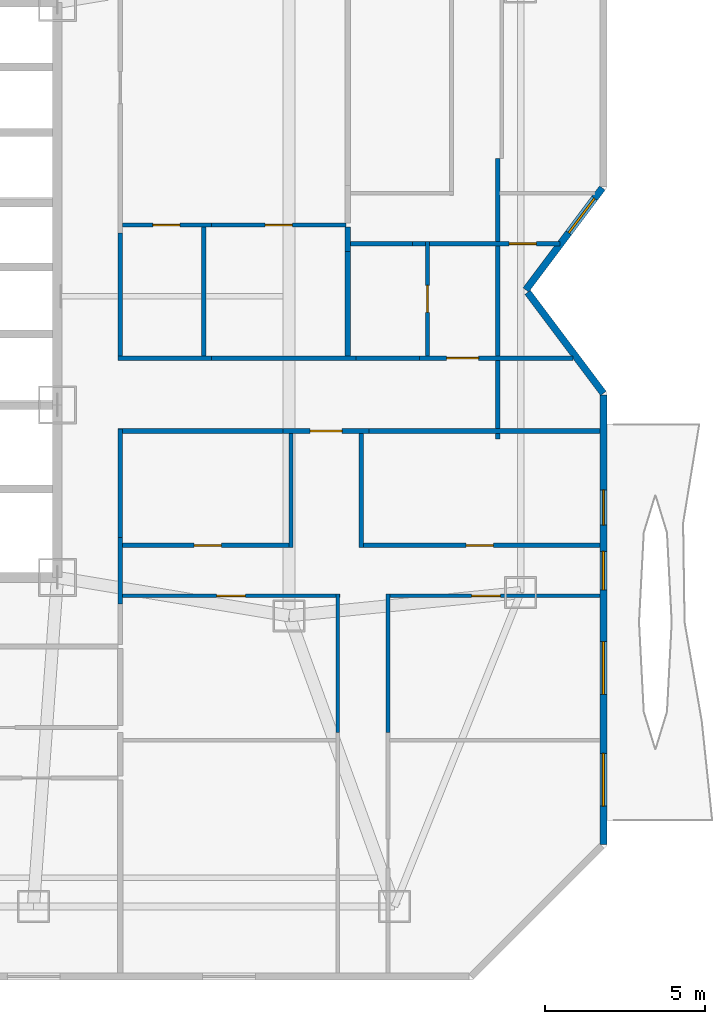
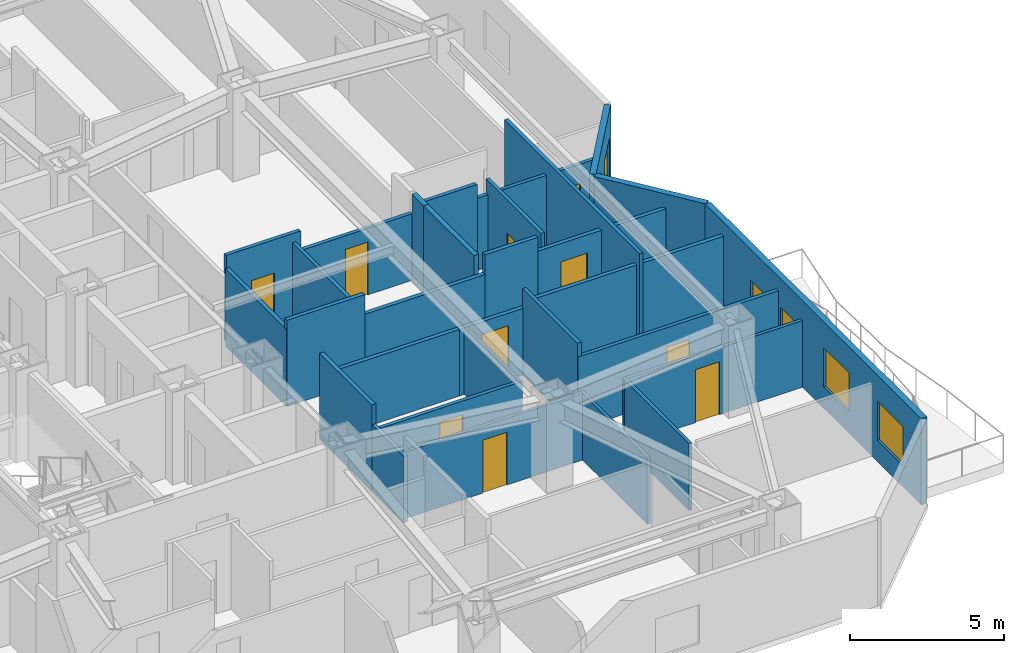
# One storey, part 10 of 14: 30 walls, 11 doors, 4 windows, 15 openings.
"""IFC4 building model written with IfcOpenShell, lengths in metres."""

from ifc_helpers import new_model, si_unit, direction, frame, frame_2d, origin, place, context, subcontext, project, spatial, rectangle, extrude, material, layer, layer_set, type_object, element, fill, save


model = new_model("IFC4")

# Units and contexts
model_context = context("Model", 3, precision=1e-05, world=origin(), true_north=direction((0.0, 1.0)))
body_context = subcontext(model_context, "Body", "Model", "MODEL_VIEW")
ifc_project = project(units=[si_unit("LENGTHUNIT", "METRE"), si_unit("AREAUNIT", "SQUARE_METRE"), si_unit("VOLUMEUNIT", "CUBIC_METRE"), si_unit("PLANEANGLEUNIT", "RADIAN"), si_unit("MASSUNIT", "GRAM", prefix="KILO")], contexts=[model_context])

# Site, building, storey
site_placement = place(None, origin())
site = spatial("IfcSite", under=ifc_project, at=site_placement, CompositionType="ELEMENT")
building_placement = place(site_placement, origin())
building = spatial("IfcBuilding", under=site, at=building_placement, Name="Khamvora Tower", CompositionType="ELEMENT")
storey_placement = place(building_placement, frame((0.0, 0.0, 123.800048828125)))
storey = spatial("IfcBuildingStorey", under=building, at=storey_placement, Name="L31", CompositionType="ELEMENT", Elevation=123.800048828125)

# Wall, opening, door
ifc_material_1 = material(Name="Fire-Rated Drywall and Steel Stud", Category="steel")
ifc_layer_1 = layer(ifc_material_1, 0.14990234375)
ifc_layer_set_1 = layer_set([ifc_layer_1], Name="Fire-Rated Drywall and Steel Stud")
wall_type_1 = type_object("IfcWallType", Name="WAL-CORR-150", PredefinedType="STANDARD", material=ifc_layer_set_1)
wall_1_placement = place(storey_placement, frame((49.158935546875, 23.5849609375, 0.0), z_axis=(0.0, 0.0, 1.0), x_axis=(-1.0, 0.0, 0.0)))
wall_1 = element("IfcWall", 1, at=wall_1_placement, inside=storey, type_object=wall_type_1, Name="L31 interior partition wall 026", PredefinedType="STANDARD", context=body_context, shape_type="SweptSolid", body=[
    extrude(rectangle(XDim=2.697998046875, YDim=0.14990234375, at=frame_2d((1.34912109375, 0.0))), origin(), (0.0, 0.0, 1.0), 2.64697265625),
])
opening_1_placement = place(wall_1_placement, frame((0.84912109375, 0.0, 0.0)))
opening_1 = element("IfcOpeningElement", 2, at=opening_1_placement, cuts=wall_1, Name="Opening D-U1", PredefinedType="OPENING", context=body_context, shape_type="SweptSolid", body=[
    extrude(rectangle(XDim=1.0, YDim=2.14990234375, at=frame_2d((0.5, 1.074951171875))), frame((0.0, 0.0849609375, 0.0), z_axis=(0.0, -1.0, 0.0), x_axis=(1.0, 0.0, 0.0)), (0.0, 0.0, 1.0), 0.169921875),
])
ifc_material_2 = material(Name="Powder-Coated Steel and Hardwood Leaf", Category="steel")
door_type_1 = type_object("IfcDoorType", Name="DOR-UNIT-1000", OperationType="NOTDEFINED", PredefinedType="DOOR", material=ifc_material_2)
door_1_placement = place(opening_1_placement, origin())
door_1 = element("IfcDoor", 3, at=door_1_placement, inside=storey, type_object=door_type_1, Name="L31 interior door COR-31EAH", OperationType="SINGLE_SWING_LEFT", OverallHeight=2.14990234375, OverallWidth=1.0, PredefinedType="DOOR", context=body_context, shape_type="SweptSolid", body=[
    extrude(rectangle(XDim=1.0, YDim=2.14990234375, at=frame_2d((0.5, 1.074951171875))), frame((0.0, 0.02490234375, 0.0), z_axis=(0.0, -1.0, 0.0), x_axis=(1.0, 0.0, 0.0)), (0.0, 0.0, 1.0), 0.050048828125),
])
fill(opening_1, door_1)

# Walls
wall_2_placement = place(storey_placement, frame((41.364990234375, 20.25390625, 0.0), z_axis=(0.0, 0.0, 1.0), x_axis=(0.0, -1.0, 0.0)))
element("IfcWall", 4, at=wall_2_placement, inside=storey, type_object=wall_type_1, Name="L31 interior partition wall 027", PredefinedType="STANDARD", context=body_context, shape_type="SweptSolid", body=[
    extrude(rectangle(XDim=2.077880859375, YDim=0.14990234375, at=frame_2d((1.0390625, 0.0))), origin(), (0.0, 0.0, 1.0), 2.64697265625),
])
wall_3_placement = place(storey_placement, frame((46.4609375, 23.5849609375, 0.0), z_axis=(0.0, 0.0, 1.0), x_axis=(-1.0, 0.0, 0.0)))
element("IfcWall", 5, at=wall_3_placement, inside=storey, type_object=wall_type_1, Name="L31 interior partition wall 028", PredefinedType="STANDARD", context=body_context, shape_type="SweptSolid", body=[
    extrude(rectangle(XDim=5.160888671875, YDim=0.14990234375, at=frame_2d((2.58056640625, 0.0))), origin(), (0.0, 0.0, 1.0), 2.64697265625),
])
wall_4_placement = place(storey_placement, frame((41.364990234375, 23.64794921875, 0.0), z_axis=(0.0, 0.0, 1.0), x_axis=(0.0, -1.0, 0.0)))
element("IfcWall", 6, at=wall_4_placement, inside=storey, type_object=wall_type_1, Name="L31 interior partition wall 029", PredefinedType="STANDARD", context=body_context, shape_type="SweptSolid", body=[
    extrude(rectangle(XDim=3.39404296875, YDim=0.14990234375, at=frame_2d((1.697021484375, 0.0))), origin(), (0.0, 0.0, 1.0), 3.429931640625),
])
wall_5_placement = place(storey_placement, frame((56.387939453125, 23.5849609375, 0.0), z_axis=(0.0, 0.0, 1.0), x_axis=(-1.0, 0.0, 0.0)))
element("IfcWall", 7, at=wall_5_placement, inside=storey, type_object=wall_type_1, Name="L31 interior partition wall 030", PredefinedType="STANDARD", context=body_context, shape_type="SweptSolid", body=[
    extrude(rectangle(XDim=7.22900390625, YDim=0.14990234375, at=frame_2d((3.614501953125, 0.0))), origin(), (0.0, 0.0, 1.0), 2.8759765625),
])
wall_6_placement = place(storey_placement, frame((41.364990234375, 29.781005859375, 0.0), z_axis=(0.0, 0.0, 1.0), x_axis=(0.0, -1.0, 0.0)))
element("IfcWall", 8, at=wall_6_placement, inside=storey, type_object=wall_type_1, Name="L31 interior partition wall 033", PredefinedType="STANDARD", context=body_context, shape_type="SweptSolid", body=[
    extrude(rectangle(XDim=3.98095703125, YDim=0.14990234375, at=frame_2d((1.990478515625, 0.0))), origin(), (0.0, 0.0, 1.0), 3.06494140625),
])
wall_7_placement = place(storey_placement, frame((41.300048828125, 25.864990234375, 0.0), z_axis=(0.0, 0.0, 1.0), x_axis=(1.0, 0.0, 0.0)))
element("IfcWall", 9, at=wall_7_placement, inside=storey, type_object=wall_type_1, Name="L31 interior partition wall 034", PredefinedType="STANDARD", context=body_context, shape_type="SweptSolid", body=[
    extrude(rectangle(XDim=2.928955078125, YDim=0.14990234375, at=frame_2d((1.46435546875, 0.0))), origin(), (0.0, 0.0, 1.0), 3.429931640625),
])
wall_8_placement = place(storey_placement, frame((44.22900390625, 25.864990234375, 0.0), z_axis=(0.0, 0.0, 1.0), x_axis=(1.0, 0.0, 0.0)))
element("IfcWall", 10, at=wall_8_placement, inside=storey, type_object=wall_type_1, Name="L31 interior partition wall 035", PredefinedType="STANDARD", context=body_context, shape_type="SweptSolid", body=[
    extrude(rectangle(XDim=4.510009765625, YDim=0.14990234375, at=frame_2d((2.2548828125, 0.0))), origin(), (0.0, 0.0, 1.0), 2.64697265625),
])

# Wall, opening, door
wall_9_placement = place(storey_placement, frame((50.736083984375, 25.864990234375, 0.0), z_axis=(0.0, 0.0, 1.0), x_axis=(1.0, 0.0, 0.0)))
wall_9 = element("IfcWall", 11, at=wall_9_placement, inside=storey, type_object=wall_type_1, Name="L31 interior partition wall 037", PredefinedType="STANDARD", context=body_context, shape_type="SweptSolid", body=[
    extrude(rectangle(XDim=4.7998046875, YDim=0.14990234375, at=frame_2d((2.39990234375, 0.0))), origin(), (0.0, 0.0, 1.0), 2.8759765625),
])
opening_2_placement = place(wall_9_placement, frame((0.84912109375, 0.0, 0.0)))
opening_2 = element("IfcOpeningElement", 12, at=opening_2_placement, cuts=wall_9, Name="Opening D-U1", PredefinedType="OPENING", context=body_context, shape_type="SweptSolid", body=[
    extrude(rectangle(XDim=1.0, YDim=2.14990234375, at=frame_2d((0.5, 1.074951171875))), frame((0.0, 0.0849609375, 0.0), z_axis=(0.0, -1.0, 0.0), x_axis=(1.0, 0.0, 0.0)), (0.0, 0.0, 1.0), 0.169921875),
])
door_2_placement = place(opening_2_placement, origin())
door_2 = element("IfcDoor", 13, at=door_2_placement, inside=storey, type_object=door_type_1, Name="L31 interior door COR-31ECH", OperationType="SINGLE_SWING_LEFT", OverallHeight=2.14990234375, OverallWidth=1.0, PredefinedType="DOOR", context=body_context, shape_type="SweptSolid", body=[
    extrude(rectangle(XDim=1.0, YDim=2.14990234375, at=frame_2d((0.5, 1.074951171875))), frame((0.0, 0.02490234375, 0.0), z_axis=(0.0, -1.0, 0.0), x_axis=(1.0, 0.0, 0.0)), (0.0, 0.0, 1.0), 0.050048828125),
])
fill(opening_2, door_2)

# Walls
wall_10_placement = place(storey_placement, frame((48.739013671875, 25.864990234375, 0.0), z_axis=(0.0, 0.0, 1.0), x_axis=(1.0, 0.0, 0.0)))
element("IfcWall", 14, at=wall_10_placement, inside=storey, type_object=wall_type_1, Name="L31 interior partition wall 038", PredefinedType="STANDARD", context=body_context, shape_type="SweptSolid", body=[
    extrude(rectangle(XDim=1.9970703125, YDim=0.14990234375, at=frame_2d((0.99853515625, 0.0))), origin(), (0.0, 0.0, 1.0), 3.429931640625),
])
ifc_material_3 = material(Name="Acoustic Double-Stud Fire Wall", Category="gypsum")
ifc_layer_2 = layer(ifc_material_3, 0.179931640625)
ifc_layer_set_2 = layer_set([ifc_layer_2], Name="Acoustic Double-Stud Fire Wall")
wall_type_2 = type_object("IfcWallType", Name="WAL-CORR-180", PredefinedType="STANDARD", material=ifc_layer_set_2)
wall_11_placement = place(storey_placement, frame((48.489990234375, 29.965087890625, 0.0), z_axis=(0.0, 0.0, 1.0), x_axis=(0.0, -1.0, 0.0)))
element("IfcWall", 15, at=wall_11_placement, inside=storey, type_object=wall_type_2, Name="L31 interior partition wall 119", PredefinedType="STANDARD", context=body_context, shape_type="SweptSolid", body=[
    extrude(rectangle(XDim=0.76904296875, YDim=0.179931640625, at=frame_2d((0.384521484375, 0.0))), origin(), (0.0, 0.0, 1.0), 3.429931640625),
])
wall_12_placement = place(storey_placement, frame((48.489990234375, 29.196044921875, 0.0), z_axis=(0.0, 0.0, 1.0), x_axis=(0.0, -1.0, 0.0)))
element("IfcWall", 16, at=wall_12_placement, inside=storey, type_object=wall_type_2, Name="L31 interior partition wall 120", PredefinedType="STANDARD", context=body_context, shape_type="SweptSolid", body=[
    extrude(rectangle(XDim=3.26611328125, YDim=0.179931640625, at=frame_2d((1.633056640625, 0.0))), origin(), (0.0, 0.0, 1.0), 3.429931640625),
])

# Wall, opening, window
ifc_material_4 = material(Name="Precast concrete C40/50", Category="concrete")
ifc_layer_3 = layer(ifc_material_4, 0.219970703125)
ifc_layer_set_3 = layer_set([ifc_layer_3], Name="Precast concrete C40/50")
wall_type_3 = type_object("IfcWallType", Name="WAL-EXT-220", PredefinedType="STANDARD", material=ifc_layer_set_3)
wall_13_placement = place(storey_placement, frame((56.4560546875, 31.19091796875, 0.0), z_axis=(0.0, 0.0, 1.0), x_axis=(-0.600137081448, -0.799897170561, 0.0)))
wall_13 = element("IfcWall", 17, at=wall_13_placement, inside=storey, type_object=wall_type_3, Name="L31 exterior facade wall 10.1", PredefinedType="STANDARD", context=body_context, shape_type="SweptSolid", body=[
    extrude(rectangle(XDim=3.9892578125, YDim=0.219970703125, at=frame_2d((1.99462890625, 0.0))), origin(), (0.0, 0.0, 1.0), 3.429931640625),
])
opening_3_placement = place(wall_13_placement, frame((0.406982421875, 0.0, 0.85009765625)))
opening_3 = element("IfcOpeningElement", 18, at=opening_3_placement, cuts=wall_13, Name="Opening WN-07", PredefinedType="OPENING", context=body_context, shape_type="SweptSolid", body=[
    extrude(rectangle(XDim=1.35009765625, YDim=1.5, at=frame_2d((0.675048828125, 0.75))), frame((0.0, 0.119873046875, 0.0), z_axis=(0.0, -1.0, 0.0), x_axis=(1.0, 0.0, 0.0)), (0.0, 0.0, 1.0), 0.239990234375),
])
ifc_material_5 = material(Name="Low-E Laminated Double Glazing", Category="glass")
window_type_1 = type_object("IfcWindowType", Name="WIN-VIS-1350x1500", PartitioningType="SINGLE_PANEL", PredefinedType="WINDOW", material=ifc_material_5)
window_1_placement = place(opening_3_placement, origin())
window_1 = element("IfcWindow", 19, at=window_1_placement, inside=storey, type_object=window_type_1, Name="L31 vision window 10.1.01", OverallHeight=1.5, OverallWidth=1.35009765625, PartitioningType="SINGLE_PANEL", PredefinedType="WINDOW", context=body_context, shape_type="SweptSolid", body=[
    extrude(rectangle(XDim=1.35009765625, YDim=1.5, at=frame_2d((0.675048828125, 0.75))), frame((0.0, 0.030029296875, 0.0), z_axis=(0.0, -1.0, 0.0), x_axis=(1.0, 0.0, 0.0)), (0.0, 0.0, 1.0), 0.06005859375),
])
fill(opening_3, window_1)

# Wall
wall_14_placement = place(storey_placement, frame((54.118896484375, 27.924072265625, 0.0), z_axis=(0.0, 0.0, 1.0), x_axis=(0.600039540588, -0.799970343032, 0.0)))
element("IfcWall", 20, at=wall_14_placement, inside=storey, type_object=wall_type_3, Name="L31 exterior facade wall 11.1", PredefinedType="STANDARD", context=body_context, shape_type="SweptSolid", body=[
    extrude(rectangle(XDim=3.95166015625, YDim=0.219970703125, at=frame_2d((1.975830078125, 0.0))), origin(), (0.0, 0.0, 1.0), 3.429931640625),
])

# Wall, openings, door, windows
wall_15_placement = place(storey_placement, frame((56.489990234375, 24.70703125, 0.0), z_axis=(0.0, 0.0, 1.0), x_axis=(0.0, -1.0, 0.0)))
wall_15 = element("IfcWall", 21, at=wall_15_placement, inside=storey, type_object=wall_type_3, Name="L31 exterior facade wall 12.1", PredefinedType="STANDARD", context=body_context, shape_type="SweptSolid", body=[
    extrude(rectangle(XDim=14.06103515625, YDim=0.219970703125, at=frame_2d((7.030517578125, 0.0))), origin(), (0.0, 0.0, 1.0), 3.429931640625),
])
opening_4_placement = place(wall_15_placement, frame((2.968994140625, 0.0, 0.0)))
opening_4 = element("IfcOpeningElement", 22, at=opening_4_placement, cuts=wall_15, Name="Opening BD-01", PredefinedType="OPENING", context=body_context, shape_type="SweptSolid", body=[
    extrude(rectangle(XDim=1.10009765625, YDim=2.199951171875, at=frame_2d((0.550048828125, 1.10009765625))), frame((0.0, 0.119873046875, 0.0), z_axis=(0.0, -1.0, 0.0), x_axis=(1.0, 0.0, 0.0)), (0.0, 0.0, 1.0), 0.239990234375),
])
opening_5_placement = place(wall_15_placement, frame((4.89208984375, 0.0, 0.800048828125)))
opening_5 = element("IfcOpeningElement", 23, at=opening_5_placement, cuts=wall_15, Name="Opening WN-03", PredefinedType="OPENING", context=body_context, shape_type="SweptSolid", body=[
    extrude(rectangle(XDim=1.199951171875, YDim=1.5, at=frame_2d((0.60009765625, 0.75))), frame((0.0, 0.119873046875, 0.0), z_axis=(0.0, -1.0, 0.0), x_axis=(1.0, 0.0, 0.0)), (0.0, 0.0, 1.0), 0.239990234375),
])
opening_6_placement = place(wall_15_placement, frame((11.214111328125, 0.0, 0.85009765625)))
opening_6 = element("IfcOpeningElement", 24, at=opening_6_placement, cuts=wall_15, Name="Opening WN-06", PredefinedType="OPENING", context=body_context, shape_type="SweptSolid", body=[
    extrude(rectangle(XDim=1.64990234375, YDim=1.550048828125, at=frame_2d((0.824951171875, 0.77490234375))), frame((0.0, 0.119873046875, 0.0), z_axis=(0.0, -1.0, 0.0), x_axis=(1.0, 0.0, 0.0)), (0.0, 0.0, 1.0), 0.239990234375),
])
opening_7_placement = place(wall_15_placement, frame((7.717041015625, 0.0, 0.85009765625)))
opening_7 = element("IfcOpeningElement", 25, at=opening_7_placement, cuts=wall_15, Name="Opening WN-06", PredefinedType="OPENING", context=body_context, shape_type="SweptSolid", body=[
    extrude(rectangle(XDim=1.64990234375, YDim=1.550048828125, at=frame_2d((0.824951171875, 0.77490234375))), frame((0.0, 0.119873046875, 0.0), z_axis=(0.0, -1.0, 0.0), x_axis=(1.0, 0.0, 0.0)), (0.0, 0.0, 1.0), 0.239990234375),
])
ifc_material_6 = material(Name="Anodised Aluminium and Laminated Safety Glass", Category="aluminium")
door_type_2 = type_object("IfcDoorType", Name="DOR-BAL-1100", OperationType="NOTDEFINED", PredefinedType="DOOR", material=ifc_material_6)
door_3_placement = place(opening_4_placement, origin())
door_3 = element("IfcDoor", 26, at=door_3_placement, inside=storey, type_object=door_type_2, Name="L31 lens gallery balcony door EL1", OperationType="SLIDING_TO_LEFT", OverallHeight=2.199951171875, OverallWidth=1.10009765625, PredefinedType="DOOR", context=body_context, shape_type="SweptSolid", body=[
    extrude(rectangle(XDim=1.10009765625, YDim=2.199951171875, at=frame_2d((0.550048828125, 1.10009765625))), frame((0.0, 0.02490234375, 0.0), z_axis=(0.0, -1.0, 0.0), x_axis=(1.0, 0.0, 0.0)), (0.0, 0.0, 1.0), 0.050048828125),
])
fill(opening_4, door_3)
window_type_2 = type_object("IfcWindowType", Name="WIN-VIS-1200x1500", PartitioningType="SINGLE_PANEL", PredefinedType="WINDOW", material=ifc_material_5)
window_2_placement = place(opening_5_placement, origin())
window_2 = element("IfcWindow", 27, at=window_2_placement, inside=storey, type_object=window_type_2, Name="L31 vision window 12.1.01", OverallHeight=1.5, OverallWidth=1.199951171875, PartitioningType="SINGLE_PANEL", PredefinedType="WINDOW", context=body_context, shape_type="SweptSolid", body=[
    extrude(rectangle(XDim=1.199951171875, YDim=1.5, at=frame_2d((0.60009765625, 0.75))), frame((0.0, 0.030029296875, 0.0), z_axis=(0.0, -1.0, 0.0), x_axis=(1.0, 0.0, 0.0)), (0.0, 0.0, 1.0), 0.06005859375),
])
fill(opening_5, window_2)
window_type_3 = type_object("IfcWindowType", Name="WIN-VIS-1650x1550", PartitioningType="SINGLE_PANEL", PredefinedType="WINDOW", material=ifc_material_5)
window_3_placement = place(opening_6_placement, origin())
window_3 = element("IfcWindow", 28, at=window_3_placement, inside=storey, type_object=window_type_3, Name="L31 vision window 12.1.02", OverallHeight=1.550048828125, OverallWidth=1.64990234375, PartitioningType="SINGLE_PANEL", PredefinedType="WINDOW", context=body_context, shape_type="SweptSolid", body=[
    extrude(rectangle(XDim=1.64990234375, YDim=1.550048828125, at=frame_2d((0.824951171875, 0.77490234375))), frame((0.0, 0.030029296875, 0.0), z_axis=(0.0, -1.0, 0.0), x_axis=(1.0, 0.0, 0.0)), (0.0, 0.0, 1.0), 0.06005859375),
])
fill(opening_6, window_3)
window_4_placement = place(opening_7_placement, origin())
window_4 = element("IfcWindow", 29, at=window_4_placement, inside=storey, type_object=window_type_3, Name="L31 vision window 12.1.03", OverallHeight=1.550048828125, OverallWidth=1.64990234375, PartitioningType="SINGLE_PANEL", PredefinedType="WINDOW", context=body_context, shape_type="SweptSolid", body=[
    extrude(rectangle(XDim=1.64990234375, YDim=1.550048828125, at=frame_2d((0.824951171875, 0.77490234375))), frame((0.0, 0.030029296875, 0.0), z_axis=(0.0, -1.0, 0.0), x_axis=(1.0, 0.0, 0.0)), (0.0, 0.0, 1.0), 0.06005859375),
])
fill(opening_7, window_4)

# Wall
ifc_material_7 = material(Name="Gypsum Plasterboard Partition", Category="gypsum")
ifc_layer_4 = layer(ifc_material_7, 0.1201171875)
ifc_layer_set_4 = layer_set([ifc_layer_4], Name="Gypsum Plasterboard Partition")
wall_type_4 = type_object("IfcWallType", Name="WAL-PART-120", PredefinedType="PARTITIONING", material=ifc_layer_set_4)
wall_16_placement = place(storey_placement, frame((48.175048828125, 14.154052734375, 0.0), z_axis=(0.0, 0.0, 1.0), x_axis=(0.0, 1.0, 0.0)))
element("IfcWall", 30, at=wall_16_placement, inside=storey, type_object=wall_type_4, Name="L31 interior partition wall 103", PredefinedType="PARTITIONING", context=body_context, shape_type="SweptSolid", body=[
    extrude(rectangle(XDim=4.3359375, YDim=0.1201171875, at=frame_2d((2.16796875, 0.0))), origin(), (0.0, 0.0, 1.0), 2.64697265625),
])

# Wall, opening, door
wall_17_placement = place(storey_placement, frame((48.239990234375, 18.425048828125, 0.0), z_axis=(0.0, 0.0, 1.0), x_axis=(-1.0, 0.0, 0.0)))
wall_17 = element("IfcWall", 31, at=wall_17_placement, inside=storey, type_object=wall_type_4, Name="L31 interior partition wall 104", PredefinedType="PARTITIONING", context=body_context, shape_type="SweptSolid", body=[
    extrude(rectangle(XDim=6.80810546875, YDim=0.1201171875, at=frame_2d((3.404052734375, 0.0))), origin(), (0.0, 0.0, 1.0), 2.64697265625),
])
opening_8_placement = place(wall_17_placement, frame((2.9541015625, 0.0, 0.0)))
opening_8 = element("IfcOpeningElement", 32, at=opening_8_placement, cuts=wall_17, Name="Opening D-RM1", PredefinedType="OPENING", context=body_context, shape_type="SweptSolid", body=[
    extrude(rectangle(XDim=0.89990234375, YDim=2.10009765625, at=frame_2d((0.449951171875, 1.050048828125))), frame((0.0, 0.070068359375, 0.0), z_axis=(0.0, -1.0, 0.0), x_axis=(1.0, 0.0, 0.0)), (0.0, 0.0, 1.0), 0.14013671875),
])
door_type_3 = type_object("IfcDoorType", Name="DOR-ROOM-900", OperationType="NOTDEFINED", PredefinedType="DOOR", material=ifc_material_2)
door_4_placement = place(opening_8_placement, origin())
door_4 = element("IfcDoor", 33, at=door_4_placement, inside=storey, type_object=door_type_3, Name="L31 interior door 31EAH-31EAR2", OperationType="SINGLE_SWING_RIGHT", OverallHeight=2.10009765625, OverallWidth=0.89990234375, PredefinedType="DOOR", context=body_context, shape_type="SweptSolid", body=[
    extrude(rectangle(XDim=0.89990234375, YDim=2.10009765625, at=frame_2d((0.449951171875, 1.050048828125))), frame((0.0, 0.02490234375, 0.0), z_axis=(0.0, -1.0, 0.0), x_axis=(1.0, 0.0, 0.0)), (0.0, 0.0, 1.0), 0.050048828125),
])
fill(opening_8, door_4)

wall_18_placement = place(storey_placement, frame((56.387939453125, 18.425048828125, 0.0), z_axis=(0.0, 0.0, 1.0), x_axis=(-1.0, 0.0, 0.0)))
wall_18 = element("IfcWall", 34, at=wall_18_placement, inside=storey, type_object=wall_type_4, Name="L31 interior partition wall 106", PredefinedType="PARTITIONING", context=body_context, shape_type="SweptSolid", body=[
    extrude(rectangle(XDim=6.7080078125, YDim=0.1201171875, at=frame_2d((3.35400390625, 0.0))), origin(), (0.0, 0.0, 1.0), 2.64697265625),
])
opening_9_placement = place(wall_18_placement, frame((3.1220703125, 0.0, 0.0)))
opening_9 = element("IfcOpeningElement", 35, at=opening_9_placement, cuts=wall_18, Name="Opening D-RM1", PredefinedType="OPENING", context=body_context, shape_type="SweptSolid", body=[
    extrude(rectangle(XDim=0.89990234375, YDim=2.10009765625, at=frame_2d((0.449951171875, 1.050048828125))), frame((0.0, 0.070068359375, 0.0), z_axis=(0.0, -1.0, 0.0), x_axis=(1.0, 0.0, 0.0)), (0.0, 0.0, 1.0), 0.14013671875),
])
door_5_placement = place(opening_9_placement, origin())
door_5 = element("IfcDoor", 36, at=door_5_placement, inside=storey, type_object=door_type_3, Name="L31 interior door 31EAH-31EAR4", OperationType="SINGLE_SWING_RIGHT", OverallHeight=2.10009765625, OverallWidth=0.89990234375, PredefinedType="DOOR", context=body_context, shape_type="SweptSolid", body=[
    extrude(rectangle(XDim=0.89990234375, YDim=2.10009765625, at=frame_2d((0.449951171875, 1.050048828125))), frame((0.0, 0.02490234375, 0.0), z_axis=(0.0, -1.0, 0.0), x_axis=(1.0, 0.0, 0.0)), (0.0, 0.0, 1.0), 0.050048828125),
])
fill(opening_9, door_5)

# Wall
wall_19_placement = place(storey_placement, frame((49.7451171875, 18.489990234375, 0.0), z_axis=(0.0, 0.0, 1.0), x_axis=(0.0, -1.0, 0.0)))
element("IfcWall", 37, at=wall_19_placement, inside=storey, type_object=wall_type_4, Name="L31 interior partition wall 107", PredefinedType="PARTITIONING", context=body_context, shape_type="SweptSolid", body=[
    extrude(rectangle(XDim=4.3359375, YDim=0.1201171875, at=frame_2d((2.16796875, 0.0))), origin(), (0.0, 0.0, 1.0), 2.64697265625),
])

# Wall, opening, door
ifc_material_8 = material(Name="Moisture-Resistant Plasterboard Partition", Category="gypsum")
ifc_layer_5 = layer(ifc_material_8, 0.135009765625)
ifc_layer_set_5 = layer_set([ifc_layer_5], Name="Moisture-Resistant Plasterboard Partition")
wall_type_5 = type_object("IfcWallType", Name="WAL-WET-135", PredefinedType="PARTITIONING", material=ifc_layer_set_5)
wall_20_placement = place(storey_placement, frame((41.431884765625, 20.0048828125, 0.0), z_axis=(0.0, 0.0, 1.0), x_axis=(1.0, 0.0, 0.0)))
wall_20 = element("IfcWall", 38, at=wall_20_placement, inside=storey, type_object=wall_type_5, Name="L31 interior partition wall 098", PredefinedType="PARTITIONING", context=body_context, shape_type="SweptSolid", body=[
    extrude(rectangle(XDim=5.343017578125, YDim=0.135009765625, at=frame_2d((2.67138671875, 0.0))), origin(), (0.0, 0.0, 1.0), 2.64697265625),
])
opening_10_placement = place(wall_20_placement, frame((2.2470703125, 0.0, 0.0)))
opening_10 = element("IfcOpeningElement", 39, at=opening_10_placement, cuts=wall_20, Name="Opening D-WC1", PredefinedType="OPENING", context=body_context, shape_type="SweptSolid", body=[
    extrude(rectangle(XDim=0.85009765625, YDim=2.10009765625, at=frame_2d((0.425048828125, 1.050048828125))), frame((0.0, 0.077392578125, 0.0), z_axis=(0.0, -1.0, 0.0), x_axis=(1.0, 0.0, 0.0)), (0.0, 0.0, 1.0), 0.155029296875),
])
door_type_4 = type_object("IfcDoorType", Name="DOR-WET-850", OperationType="NOTDEFINED", PredefinedType="DOOR", material=ifc_material_2)
door_6_placement = place(opening_10_placement, origin())
door_6 = element("IfcDoor", 40, at=door_6_placement, inside=storey, type_object=door_type_4, Name="L31 interior door 31EAH-31EAB", OperationType="SINGLE_SWING_RIGHT", OverallHeight=2.10009765625, OverallWidth=0.85009765625, PredefinedType="DOOR", context=body_context, shape_type="SweptSolid", body=[
    extrude(rectangle(XDim=0.85009765625, YDim=2.10009765625, at=frame_2d((0.425048828125, 1.050048828125))), frame((0.0, 0.02490234375, 0.0), z_axis=(0.0, -1.0, 0.0), x_axis=(1.0, 0.0, 0.0)), (0.0, 0.0, 1.0), 0.050048828125),
])
fill(opening_10, door_6)

# Walls
wall_21_placement = place(storey_placement, frame((46.7099609375, 19.93994140625, 0.0), z_axis=(0.0, 0.0, 1.0), x_axis=(0.0, 1.0, 0.0)))
element("IfcWall", 41, at=wall_21_placement, inside=storey, type_object=wall_type_5, Name="L31 interior partition wall 099", PredefinedType="PARTITIONING", context=body_context, shape_type="SweptSolid", body=[
    extrude(rectangle(XDim=3.580078125, YDim=0.135009765625, at=frame_2d((1.7900390625, 0.0))), origin(), (0.0, 0.0, 1.0), 2.64697265625),
])
wall_22_placement = place(storey_placement, frame((48.909912109375, 23.52001953125, 0.0), z_axis=(0.0, 0.0, 1.0), x_axis=(0.0, -1.0, 0.0)))
element("IfcWall", 42, at=wall_22_placement, inside=storey, type_object=wall_type_5, Name="L31 interior partition wall 100", PredefinedType="PARTITIONING", context=body_context, shape_type="SweptSolid", body=[
    extrude(rectangle(XDim=3.580078125, YDim=0.135009765625, at=frame_2d((1.7900390625, 0.0))), origin(), (0.0, 0.0, 1.0), 3.429931640625),
])

# Wall, opening, door
wall_23_placement = place(storey_placement, frame((48.844970703125, 20.0048828125, 0.0), z_axis=(0.0, 0.0, 1.0), x_axis=(1.0, 0.0, 0.0)))
wall_23 = element("IfcWall", 43, at=wall_23_placement, inside=storey, type_object=wall_type_5, Name="L31 interior partition wall 101", PredefinedType="PARTITIONING", context=body_context, shape_type="SweptSolid", body=[
    extrude(rectangle(XDim=7.54296875, YDim=0.135009765625, at=frame_2d((3.771484375, 0.0))), origin(), (0.0, 0.0, 1.0), 2.8759765625),
])
opening_11_placement = place(wall_23_placement, frame((3.346923828125, 0.0, 0.0)))
opening_11 = element("IfcOpeningElement", 44, at=opening_11_placement, cuts=wall_23, Name="Opening D-RM2", PredefinedType="OPENING", context=body_context, shape_type="SweptSolid", body=[
    extrude(rectangle(XDim=0.85009765625, YDim=2.10009765625, at=frame_2d((0.425048828125, 1.050048828125))), frame((0.0, 0.077392578125, 0.0), z_axis=(0.0, -1.0, 0.0), x_axis=(1.0, 0.0, 0.0)), (0.0, 0.0, 1.0), 0.155029296875),
])
door_type_5 = type_object("IfcDoorType", Name="DOR-ROOM-850", OperationType="NOTDEFINED", PredefinedType="DOOR", material=ifc_material_2)
door_7_placement = place(opening_11_placement, origin())
door_7 = element("IfcDoor", 45, at=door_7_placement, inside=storey, type_object=door_type_5, Name="L31 interior door 31EAH-31EAK", OperationType="SINGLE_SWING_LEFT", OverallHeight=2.10009765625, OverallWidth=0.85009765625, PredefinedType="DOOR", context=body_context, shape_type="SweptSolid", body=[
    extrude(rectangle(XDim=0.85009765625, YDim=2.10009765625, at=frame_2d((0.425048828125, 1.050048828125))), frame((0.0, 0.02490234375, 0.0), z_axis=(0.0, -1.0, 0.0), x_axis=(1.0, 0.0, 0.0)), (0.0, 0.0, 1.0), 0.050048828125),
])
fill(opening_11, door_7)

wall_24_placement = place(storey_placement, frame((44.22900390625, 30.030029296875, 0.0), z_axis=(0.0, 0.0, 1.0), x_axis=(-1.0, 0.0, 0.0)))
wall_24 = element("IfcWall", 46, at=wall_24_placement, inside=storey, type_object=wall_type_5, Name="L31 interior partition wall 111", PredefinedType="PARTITIONING", context=body_context, shape_type="SweptSolid", body=[
    extrude(rectangle(XDim=2.797119140625, YDim=0.135009765625, at=frame_2d((1.3984375, 0.0))), origin(), (0.0, 0.0, 1.0), 3.429931640625),
])
opening_12_placement = place(wall_24_placement, frame((0.993896484375, 0.0, 0.0)))
opening_12 = element("IfcOpeningElement", 47, at=opening_12_placement, cuts=wall_24, Name="Opening D-WC1", PredefinedType="OPENING", context=body_context, shape_type="SweptSolid", body=[
    extrude(rectangle(XDim=0.85009765625, YDim=2.10009765625, at=frame_2d((0.425048828125, 1.050048828125))), frame((0.0, 0.077392578125, 0.0), z_axis=(0.0, -1.0, 0.0), x_axis=(1.0, 0.0, 0.0)), (0.0, 0.0, 1.0), 0.155029296875),
])
door_8_placement = place(opening_12_placement, origin())
door_8 = element("IfcDoor", 48, at=door_8_placement, inside=storey, type_object=door_type_4, Name="L31 interior door 31EBH-31EBB", OperationType="SINGLE_SWING_RIGHT", OverallHeight=2.10009765625, OverallWidth=0.85009765625, PredefinedType="DOOR", context=body_context, shape_type="SweptSolid", body=[
    extrude(rectangle(XDim=0.85009765625, YDim=2.10009765625, at=frame_2d((0.425048828125, 1.050048828125))), frame((0.0, 0.02490234375, 0.0), z_axis=(0.0, -1.0, 0.0), x_axis=(1.0, 0.0, 0.0)), (0.0, 0.0, 1.0), 0.050048828125),
])
fill(opening_12, door_8)

wall_25_placement = place(storey_placement, frame((48.425048828125, 30.030029296875, 0.0), z_axis=(0.0, 0.0, 1.0), x_axis=(-1.0, 0.0, 0.0)))
wall_25 = element("IfcWall", 49, at=wall_25_placement, inside=storey, type_object=wall_type_5, Name="L31 interior partition wall 112", PredefinedType="PARTITIONING", context=body_context, shape_type="SweptSolid", body=[
    extrude(rectangle(XDim=4.196044921875, YDim=0.135009765625, at=frame_2d((2.09814453125, 0.0))), origin(), (0.0, 0.0, 1.0), 2.64697265625),
])
opening_13_placement = place(wall_25_placement, frame((1.673095703125, 0.0, 0.0)))
opening_13 = element("IfcOpeningElement", 50, at=opening_13_placement, cuts=wall_25, Name="Opening D-RM2", PredefinedType="OPENING", context=body_context, shape_type="SweptSolid", body=[
    extrude(rectangle(XDim=0.85009765625, YDim=2.10009765625, at=frame_2d((0.425048828125, 1.050048828125))), frame((0.0, 0.077392578125, 0.0), z_axis=(0.0, -1.0, 0.0), x_axis=(1.0, 0.0, 0.0)), (0.0, 0.0, 1.0), 0.155029296875),
])
door_9_placement = place(opening_13_placement, origin())
door_9 = element("IfcDoor", 51, at=door_9_placement, inside=storey, type_object=door_type_5, Name="L31 interior door 31EBH-31EBK", OperationType="SINGLE_SWING_LEFT", OverallHeight=2.10009765625, OverallWidth=0.85009765625, PredefinedType="DOOR", context=body_context, shape_type="SweptSolid", body=[
    extrude(rectangle(XDim=0.85009765625, YDim=2.10009765625, at=frame_2d((0.425048828125, 1.050048828125))), frame((0.0, 0.02490234375, 0.0), z_axis=(0.0, -1.0, 0.0), x_axis=(1.0, 0.0, 0.0)), (0.0, 0.0, 1.0), 0.050048828125),
])
fill(opening_13, door_9)

# Wall
wall_26_placement = place(storey_placement, frame((43.97998046875, 29.968994140625, 0.0), z_axis=(0.0, 0.0, 1.0), x_axis=(0.0, -1.0, 0.0)))
element("IfcWall", 52, at=wall_26_placement, inside=storey, type_object=wall_type_5, Name="L31 interior partition wall 118", PredefinedType="PARTITIONING", context=body_context, shape_type="SweptSolid", body=[
    extrude(rectangle(XDim=4.0390625, YDim=0.135009765625, at=frame_2d((2.01953125, 0.0))), origin(), (0.0, 0.0, 1.0), 3.06494140625),
])

# Wall, opening, door
wall_27_placement = place(storey_placement, frame((55.132080078125, 29.445068359375, 0.0), z_axis=(0.0, 0.0, 1.0), x_axis=(-1.0, 0.0, 0.0)))
wall_27 = element("IfcWall", 53, at=wall_27_placement, inside=storey, type_object=wall_type_5, Name="L31 interior partition wall 121", PredefinedType="PARTITIONING", context=body_context, shape_type="SweptSolid", body=[
    extrude(rectangle(XDim=4.612060546875, YDim=0.135009765625, at=frame_2d((2.30615234375, 0.0))), origin(), (0.0, 0.0, 1.0), 2.8759765625),
])
opening_14_placement = place(wall_27_placement, frame((0.742919921875, 0.0, 0.0)))
opening_14 = element("IfcOpeningElement", 54, at=opening_14_placement, cuts=wall_27, Name="Opening D-WC1", PredefinedType="OPENING", context=body_context, shape_type="SweptSolid", body=[
    extrude(rectangle(XDim=0.85009765625, YDim=2.10009765625, at=frame_2d((0.425048828125, 1.050048828125))), frame((0.0, 0.077392578125, 0.0), z_axis=(0.0, -1.0, 0.0), x_axis=(1.0, 0.0, 0.0)), (0.0, 0.0, 1.0), 0.155029296875),
])
door_10_placement = place(opening_14_placement, origin())
door_10 = element("IfcDoor", 55, at=door_10_placement, inside=storey, type_object=door_type_4, Name="L31 interior door 31ECH-31ECB", OperationType="SINGLE_SWING_LEFT", OverallHeight=2.10009765625, OverallWidth=0.85009765625, PredefinedType="DOOR", context=body_context, shape_type="SweptSolid", body=[
    extrude(rectangle(XDim=0.85009765625, YDim=2.10009765625, at=frame_2d((0.425048828125, 1.050048828125))), frame((0.0, 0.02490234375, 0.0), z_axis=(0.0, -1.0, 0.0), x_axis=(1.0, 0.0, 0.0)), (0.0, 0.0, 1.0), 0.050048828125),
])
fill(opening_14, door_10)

# Wall
wall_28_placement = place(storey_placement, frame((53.18505859375, 32.110107421875, 0.0), z_axis=(0.0, 0.0, 1.0), x_axis=(0.0, -1.0, 0.0)))
element("IfcWall", 56, at=wall_28_placement, inside=storey, type_object=wall_type_5, Name="L31 interior partition wall 122", PredefinedType="PARTITIONING", context=body_context, shape_type="SweptSolid", body=[
    extrude(rectangle(XDim=8.780029296875, YDim=0.135009765625, at=frame_2d((4.39013671875, 0.0))), origin(), (0.0, 0.0, 1.0), 3.429931640625),
])

# Wall, opening, door
wall_29_placement = place(storey_placement, frame((50.985107421875, 25.929931640625, 0.0), z_axis=(0.0, 0.0, 1.0), x_axis=(0.0, 1.0, 0.0)))
wall_29 = element("IfcWall", 57, at=wall_29_placement, inside=storey, type_object=wall_type_5, Name="L31 interior partition wall 123", PredefinedType="PARTITIONING", context=body_context, shape_type="SweptSolid", body=[
    extrude(rectangle(XDim=3.580078125, YDim=0.135009765625, at=frame_2d((1.7900390625, 0.0))), origin(), (0.0, 0.0, 1.0), 3.429931640625),
])
opening_15_placement = place(wall_29_placement, frame((1.364990234375, 0.0, 0.0)))
opening_15 = element("IfcOpeningElement", 58, at=opening_15_placement, cuts=wall_29, Name="Opening D-RM2", PredefinedType="OPENING", context=body_context, shape_type="SweptSolid", body=[
    extrude(rectangle(XDim=0.85009765625, YDim=2.10009765625, at=frame_2d((0.425048828125, 1.050048828125))), frame((0.0, 0.077392578125, 0.0), z_axis=(0.0, -1.0, 0.0), x_axis=(1.0, 0.0, 0.0)), (0.0, 0.0, 1.0), 0.155029296875),
])
door_11_placement = place(opening_15_placement, origin())
door_11 = element("IfcDoor", 59, at=door_11_placement, inside=storey, type_object=door_type_5, Name="L31 interior door 31ECH-31ECK", OperationType="SINGLE_SWING_RIGHT", OverallHeight=2.10009765625, OverallWidth=0.85009765625, PredefinedType="DOOR", context=body_context, shape_type="SweptSolid", body=[
    extrude(rectangle(XDim=0.85009765625, YDim=2.10009765625, at=frame_2d((0.425048828125, 1.050048828125))), frame((0.0, 0.02490234375, 0.0), z_axis=(0.0, -1.0, 0.0), x_axis=(1.0, 0.0, 0.0)), (0.0, 0.0, 1.0), 0.050048828125),
])
fill(opening_15, door_11)

# Wall
wall_30_placement = place(storey_placement, frame((50.52001953125, 29.445068359375, 0.0), z_axis=(0.0, 0.0, 1.0), x_axis=(-1.0, 0.0, 0.0)))
element("IfcWall", 60, at=wall_30_placement, inside=storey, type_object=wall_type_5, Name="L31 interior partition wall 124", PredefinedType="PARTITIONING", context=body_context, shape_type="SweptSolid", body=[
    extrude(rectangle(XDim=1.947998046875, YDim=0.135009765625, at=frame_2d((0.97412109375, 0.0))), origin(), (0.0, 0.0, 1.0), 3.429931640625),
])

save(model, "model.ifc")
